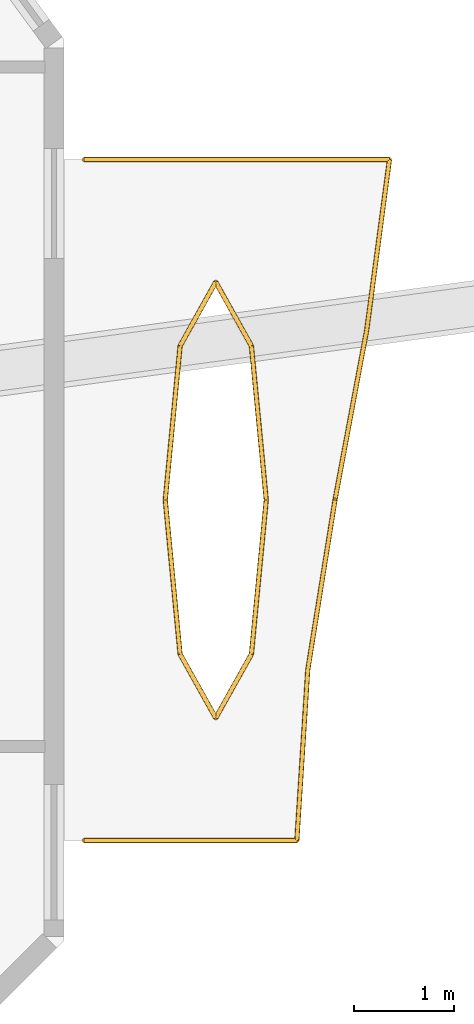
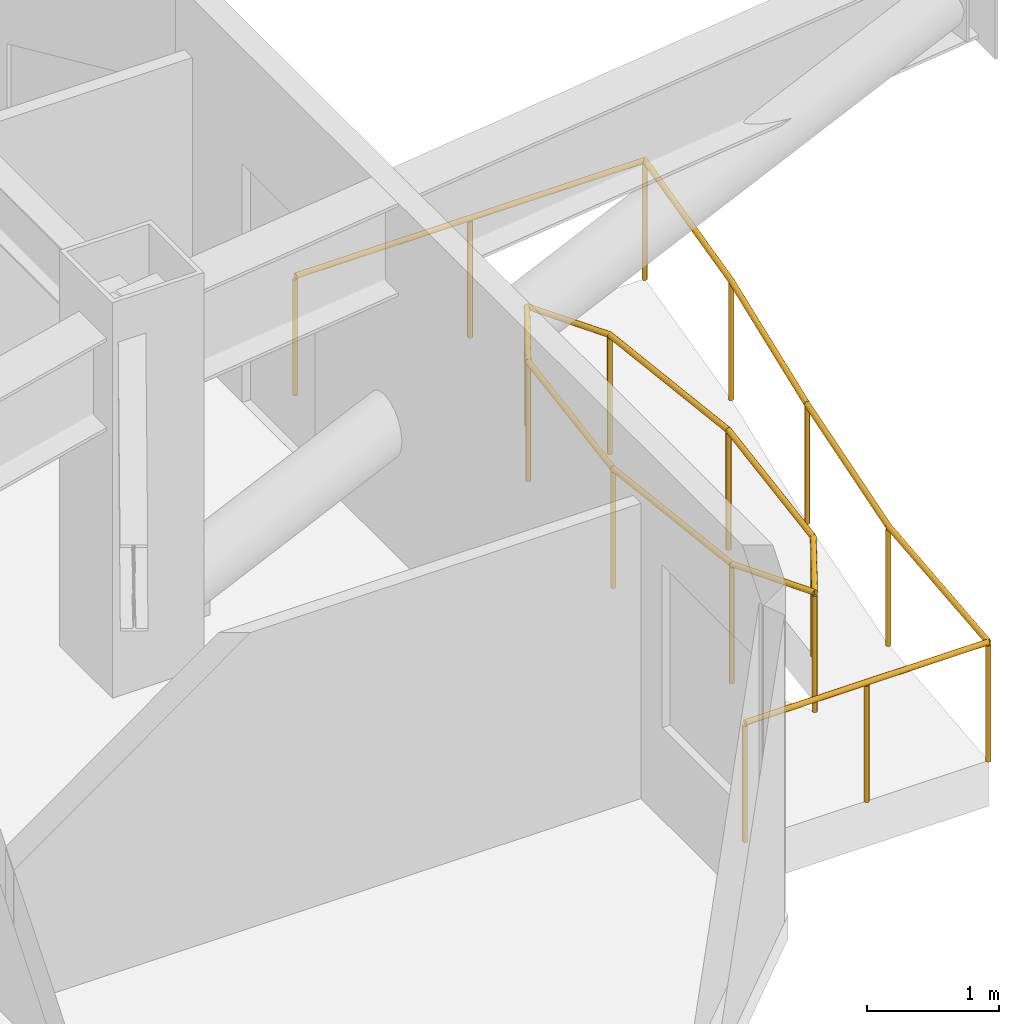
# One storey, part 14 of 14: 4 railings.
"""IFC4 building model written with IfcOpenShell, lengths in metres."""

from ifc_helpers import new_model, si_unit, direction, frame, origin, origin_2d, place, context, subcontext, project, spatial, circle, extrude, material, type_object, element, save


model = new_model("IFC4")

# Units and contexts
model_context = context("Model", 3, precision=1e-05, world=origin(), true_north=direction((0.0, 1.0)))
body_context = subcontext(model_context, "Body", "Model", "MODEL_VIEW")
ifc_project = project(units=[si_unit("LENGTHUNIT", "METRE"), si_unit("AREAUNIT", "SQUARE_METRE"), si_unit("VOLUMEUNIT", "CUBIC_METRE"), si_unit("PLANEANGLEUNIT", "RADIAN"), si_unit("MASSUNIT", "GRAM", prefix="KILO")], contexts=[model_context])

# Site, building, storey
site_placement = place(None, origin())
site = spatial("IfcSite", under=ifc_project, at=site_placement, CompositionType="ELEMENT")
building_placement = place(site_placement, origin())
building = spatial("IfcBuilding", under=site, at=building_placement, Name="Khamvora Tower", CompositionType="ELEMENT")
storey_placement = place(building_placement, frame((0.0, 0.0, 261.0)))
storey = spatial("IfcBuildingStorey", under=building, at=storey_placement, Name="L67", CompositionType="ELEMENT", Elevation=261.0)

# Railings
ifc_material = material(Name="Stainless Steel 316 and Laminated Glass", Category="steel")
railing_type = type_object("IfcRailingType", Name="RAL-GAL-1120", PredefinedType="GUARDRAIL", material=ifc_material)
railing_1_placement = place(storey_placement, frame((70.0, 17.0, 0.0)))
element("IfcRailing", 1, at=railing_1_placement, inside=storey, type_object=railing_type, Name="L67 lens gallery south perimeter guardrail EL1", PredefinedType="GUARDRAIL", context=body_context, shape_type="SweptSolid", body=[
    extrude(circle(Radius=0.02392578125, at=origin_2d()), frame((0.0, 0.0, 1.09619140625), z_axis=(1.0, 0.0, 0.0), x_axis=(0.0, 1.0, 0.0)), (0.0, 0.0, 1.0), 2.125),
    extrude(circle(Radius=0.02392578125, at=origin_2d()), frame((2.125, 0.0, 1.09619140625), z_axis=(0.06392185674, 0.997954906913, 0.0), x_axis=(-0.997954906913, 0.06392185674, 0.0)), (0.0, 0.0, 1.0), 1.703369140625),
    extrude(circle(Radius=0.02392578125, at=origin_2d()), frame((2.23388671875, 1.699951171875, 1.09619140625), z_axis=(0.158117708098, 0.987420270394, 0.0), x_axis=(-0.987420270394, 0.158117708098, 0.0)), (0.0, 0.0, 1.0), 1.7216796875),
    extrude(circle(Radius=0.02099609375, at=origin_2d()), origin(), (0.0, 0.0, 1.0), 1.072021484375),
    extrude(circle(Radius=0.02099609375, at=origin_2d()), frame((1.0625, 0.0, 0.0)), (0.0, 0.0, 1.0), 1.072021484375),
    extrude(circle(Radius=0.02099609375, at=origin_2d()), frame((2.125, 0.0, 0.0)), (0.0, 0.0, 1.0), 1.072021484375),
    extrude(circle(Radius=0.02099609375, at=origin_2d()), frame((2.23388671875, 1.699951171875, 0.0)), (0.0, 0.0, 1.0), 1.072021484375),
    extrude(circle(Radius=0.02099609375, at=origin_2d()), frame((2.506103515625, 3.39990234375, 0.0)), (0.0, 0.0, 1.0), 1.072021484375),
])
railing_2_placement = place(storey_placement, frame((72.506103515625, 20.39990234375, 0.0)))
element("IfcRailing", 2, at=railing_2_placement, inside=storey, type_object=railing_type, Name="L67 lens gallery north perimeter guardrail EL1", PredefinedType="GUARDRAIL", context=body_context, shape_type="SweptSolid", body=[
    extrude(circle(Radius=0.02392578125, at=origin_2d()), frame((0.0, 0.0, 1.09619140625), z_axis=(0.183231558977, 0.983069781753, 0.0), x_axis=(-0.983069781753, 0.183231558977, 0.0)), (0.0, 0.0, 1.0), 1.7294921875),
    extrude(circle(Radius=0.02392578125, at=origin_2d()), frame((0.31689453125, 1.7001953125, 1.09619140625), z_axis=(0.132387501766, 0.991198037415, 0.0), x_axis=(-0.991198037415, 0.132387501766, 0.0)), (0.0, 0.0, 1.0), 1.715087890625),
    extrude(circle(Radius=0.02392578125, at=origin_2d()), frame((0.5439453125, 3.400146484375, 1.09619140625), z_axis=(-1.0, 0.0, 0.0), x_axis=(0.0, -1.0, 0.0)), (0.0, 0.0, 1.0), 3.050048828125),
    extrude(circle(Radius=0.02099609375, at=origin_2d()), origin(), (0.0, 0.0, 1.0), 1.072021484375),
    extrude(circle(Radius=0.02099609375, at=origin_2d()), frame((0.31689453125, 1.7001953125, 0.0)), (0.0, 0.0, 1.0), 1.072021484375),
    extrude(circle(Radius=0.02099609375, at=origin_2d()), frame((0.5439453125, 3.400146484375, 0.0)), (0.0, 0.0, 1.0), 1.072021484375),
    extrude(circle(Radius=0.02099609375, at=origin_2d()), frame((-0.98095703125, 3.400146484375, 0.0)), (0.0, 0.0, 1.0), 1.072021484375),
    extrude(circle(Radius=0.02099609375, at=origin_2d()), frame((-2.506103515625, 3.400146484375, 0.0)), (0.0, 0.0, 1.0), 1.072021484375),
])
railing_3_placement = place(storey_placement, frame((71.819091796875, 20.39990234375, 0.0)))
element("IfcRailing", 3, at=railing_3_placement, inside=storey, type_object=railing_type, Name="L67 lens gallery void guardrail EL1A", PredefinedType="GUARDRAIL", context=body_context, shape_type="SweptSolid", body=[
    extrude(circle(Radius=0.02392578125, at=origin_2d()), frame((0.0, 0.0, 1.09619140625), z_axis=(-0.095844788822, 0.99539629116, 0.0), x_axis=(-0.99539629116, -0.095844788822, 0.0)), (0.0, 0.0, 1.0), 1.546142578125),
    extrude(circle(Radius=0.02392578125, at=origin_2d()), frame((-0.148193359375, 1.5390625, 1.09619140625), z_axis=(-0.487828856646, 0.872939291488, 0.0), x_axis=(-0.872939291488, -0.487828856646, 0.0)), (0.0, 0.0, 1.0), 0.729736328125),
    extrude(circle(Radius=0.02392578125, at=origin_2d()), frame((-0.504150390625, 2.176025390625, 1.09619140625), z_axis=(-0.487828856646, -0.872939291488, 0.0), x_axis=(0.872939291488, -0.487828856646, 0.0)), (0.0, 0.0, 1.0), 0.729736328125),
    extrude(circle(Radius=0.02392578125, at=origin_2d()), frame((-0.860107421875, 1.5390625, 1.09619140625), z_axis=(-0.095688336612, -0.995411343233, 0.0), x_axis=(0.995411343233, -0.095688336612, 0.0)), (0.0, 0.0, 1.0), 1.546142578125),
    extrude(circle(Radius=0.02099609375, at=origin_2d()), origin(), (0.0, 0.0, 1.0), 1.072021484375),
    extrude(circle(Radius=0.02099609375, at=origin_2d()), frame((-0.148193359375, 1.5390625, 0.0)), (0.0, 0.0, 1.0), 1.072021484375),
    extrude(circle(Radius=0.02099609375, at=origin_2d()), frame((-0.504150390625, 2.176025390625, 0.0)), (0.0, 0.0, 1.0), 1.072021484375),
    extrude(circle(Radius=0.02099609375, at=origin_2d()), frame((-0.860107421875, 1.5390625, 0.0)), (0.0, 0.0, 1.0), 1.072021484375),
    extrude(circle(Radius=0.02099609375, at=origin_2d()), frame((-1.008056640625, 0.0, 0.0)), (0.0, 0.0, 1.0), 1.072021484375),
])
railing_4_placement = place(storey_placement, frame((70.81103515625, 20.39990234375, 0.0)))
element("IfcRailing", 4, at=railing_4_placement, inside=storey, type_object=railing_type, Name="L67 lens gallery void guardrail EL1B", PredefinedType="GUARDRAIL", context=body_context, shape_type="SweptSolid", body=[
    extrude(circle(Radius=0.02392578125, at=origin_2d()), frame((0.0, 0.0, 1.09619140625), z_axis=(0.09570337897, -0.995409897105, 0.0), x_axis=(0.995409897105, 0.09570337897, 0.0)), (0.0, 0.0, 1.0), 1.5458984375),
    extrude(circle(Radius=0.02392578125, at=origin_2d()), frame((0.14794921875, -1.538818359375, 1.09619140625), z_axis=(0.487828856646, -0.872939291488, 0.0), x_axis=(0.872939291488, 0.487828856646, 0.0)), (0.0, 0.0, 1.0), 0.729736328125),
    extrude(circle(Radius=0.02392578125, at=origin_2d()), frame((0.50390625, -2.17578125, 1.09619140625), z_axis=(0.487828856646, 0.872939291488, 0.0), x_axis=(-0.872939291488, 0.487828856646, 0.0)), (0.0, 0.0, 1.0), 0.729736328125),
    extrude(circle(Radius=0.02392578125, at=origin_2d()), frame((0.85986328125, -1.538818359375, 1.09619140625), z_axis=(0.095859855319, 0.995394840321, 0.0), x_axis=(-0.995394840321, 0.095859855319, 0.0)), (0.0, 0.0, 1.0), 1.5458984375),
    extrude(circle(Radius=0.02099609375, at=origin_2d()), origin(), (0.0, 0.0, 1.0), 1.072021484375),
    extrude(circle(Radius=0.02099609375, at=origin_2d()), frame((0.14794921875, -1.538818359375, 0.0)), (0.0, 0.0, 1.0), 1.072021484375),
    extrude(circle(Radius=0.02099609375, at=origin_2d()), frame((0.50390625, -2.17578125, 0.0)), (0.0, 0.0, 1.0), 1.072021484375),
    extrude(circle(Radius=0.02099609375, at=origin_2d()), frame((0.85986328125, -1.538818359375, 0.0)), (0.0, 0.0, 1.0), 1.072021484375),
    extrude(circle(Radius=0.02099609375, at=origin_2d()), frame((1.008056640625, 0.0, 0.0)), (0.0, 0.0, 1.0), 1.072021484375),
])

save(model, "model.ifc")
